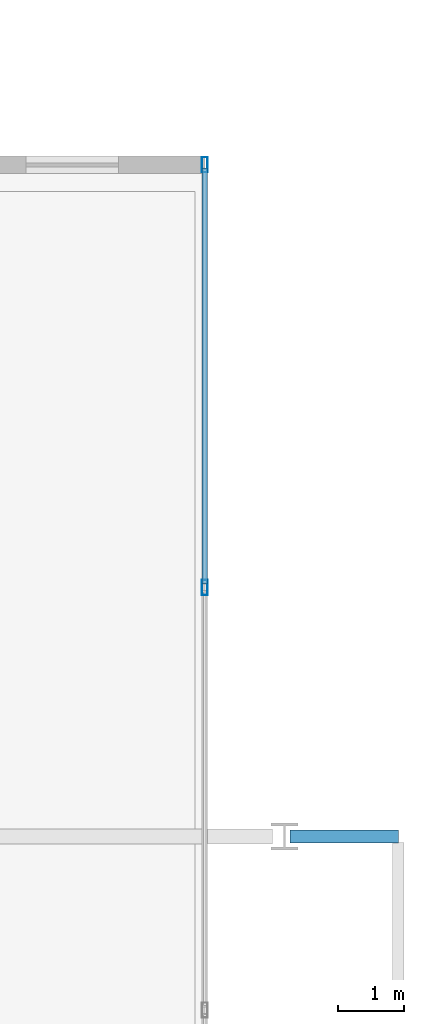
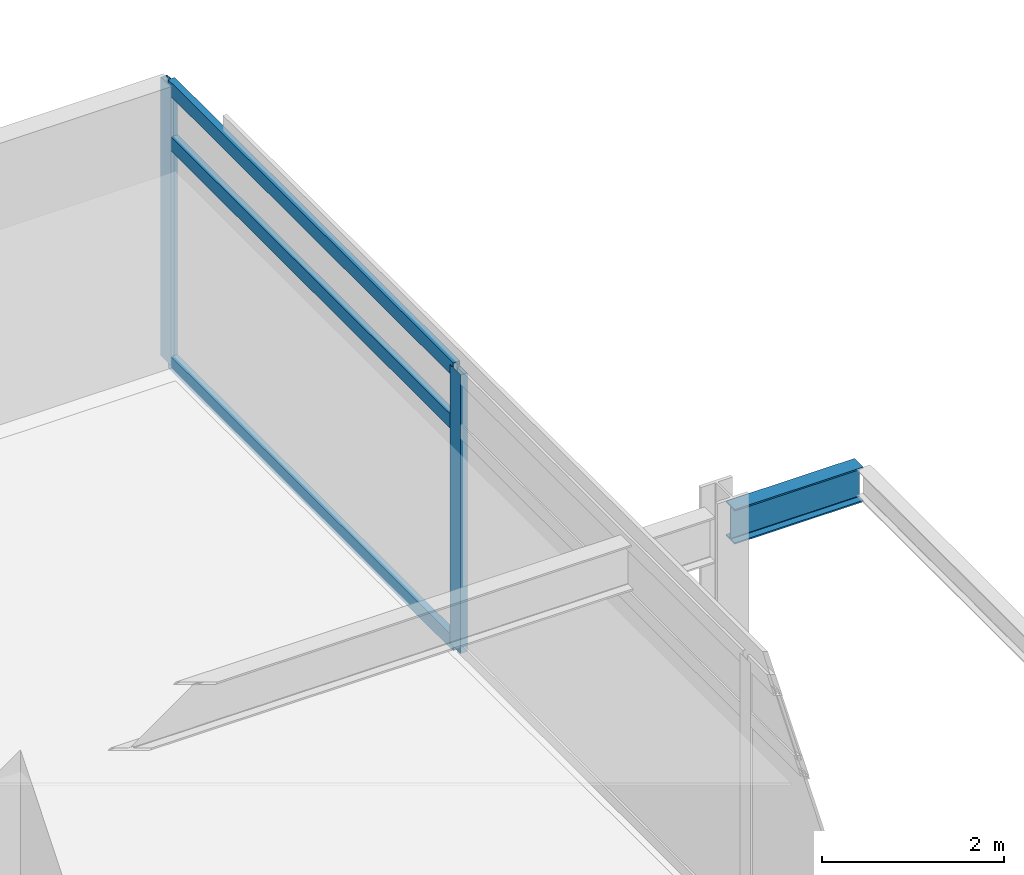
# One storey, part 10 of 19: 5 members, 1 beam, 1 element without a shape of its own.
"""IFC4 building model written with IfcOpenShell, lengths in metres."""

from ifc_helpers import new_model, si_unit, direction, frame, origin, origin_2d, place, context, subcontext, project, spatial, hollow_rectangle, i_section, extrude, material, material_profile, profile_set, type_object, element, aggregate, save


model = new_model("IFC4")

# Units and contexts
model_context = context("Model", 3, precision=1e-05, world=origin(), true_north=direction((0.0, 1.0)))
body_context = subcontext(model_context, "Body", "Model", "MODEL_VIEW")
ifc_project = project(units=[si_unit("LENGTHUNIT", "METRE"), si_unit("AREAUNIT", "SQUARE_METRE"), si_unit("VOLUMEUNIT", "CUBIC_METRE"), si_unit("PLANEANGLEUNIT", "RADIAN"), si_unit("MASSUNIT", "GRAM", prefix="KILO")], contexts=[model_context])

# Site, building, storey
site_placement = place(None, origin())
site = spatial("IfcSite", under=ifc_project, at=site_placement, CompositionType="ELEMENT")
building_placement = place(site_placement, origin())
building = spatial("IfcBuilding", under=site, at=building_placement, Name="Kovane Verandah Tower", CompositionType="ELEMENT")
storey_placement = place(building_placement, frame((0.0, 0.0, 255.199951171875)))
storey = spatial("IfcBuildingStorey", under=building, at=storey_placement, Name="L59", CompositionType="ELEMENT", Elevation=255.199951171875)

# Curtain wall, members
ifc_material_1 = material(Name="Champagne Anodised Aluminium Frame with Low-E Clear Laminated Glass", Category="aluminium")
curtain_wall_type = type_object("IfcCurtainWallType", Name="CW-SYS-05-HIGH", PredefinedType="NOTDEFINED", material=ifc_material_1)
curtain_wall_placement = place(storey_placement, origin())
curtain_wall = element("IfcCurtainWall", 1, at=curtain_wall_placement, inside=storey, type_object=curtain_wall_type, Name="L59 E Unitised Curtain Wall", PredefinedType="NOTDEFINED")
ifc_material_2 = material(Name="Champagne Anodised Aluminium 6063-T6", Category="aluminium")
ifc_material_profile_1 = material_profile(ifc_material_2, hollow_rectangle(XDim=0.0849609375, YDim=0.22998046875, WallThickness=0.00390625, at=origin_2d()), Name="AL85x230x4")
ifc_profile_set_1 = profile_set([ifc_material_profile_1], Name="Champagne Anodised Aluminium 6063-T6")
member_type_1 = type_object("IfcMemberType", Name="CW-MUL-85x230", PredefinedType="MULLION", material=ifc_profile_set_1)
member_1_placement = place(storey_placement, frame((66.396240234375, 40.25830078125, 0.02001953125), z_axis=(0.0, 0.0, 1.0), x_axis=(1.0, 0.0, 0.0)))
member_1 = element("IfcMember", 2, at=member_1_placement, type_object=member_type_1, Name="L59 E Unitised Curtain Wall Mullion 6", PredefinedType="MULLION", context=body_context, shape_type="SweptSolid", body=[
    extrude(hollow_rectangle(XDim=0.0849609375, YDim=0.22998046875, WallThickness=0.00390625, at=origin_2d()), origin(), (0.0, 0.0, 1.0), 3.7451171875),
])
member_2_placement = place(storey_placement, frame((66.396240234375, 46.6376953125, 0.02001953125), z_axis=(0.0, 0.0, 1.0), x_axis=(1.0, 0.0, 0.0)))
member_2 = element("IfcMember", 3, at=member_2_placement, type_object=member_type_1, Name="L59 E Unitised Curtain Wall Mullion 7", PredefinedType="MULLION", context=body_context, shape_type="SweptSolid", body=[
    extrude(hollow_rectangle(XDim=0.0849609375, YDim=0.22998046875, WallThickness=0.00390625, at=origin_2d()), origin(), (0.0, 0.0, 1.0), 3.7451171875),
])
ifc_material_profile_2 = material_profile(ifc_material_2, hollow_rectangle(XDim=0.0849609375, YDim=0.18994140625, WallThickness=0.00390625, at=origin_2d()), Name="AL85x190x4")
ifc_profile_set_2 = profile_set([ifc_material_profile_2], Name="Champagne Anodised Aluminium 6063-T6")
member_type_2 = type_object("IfcMemberType", Name="CW-TRN-85x190", PredefinedType="USERDEFINED", material=ifc_profile_set_2)
member_3_placement = place(storey_placement, frame((66.396240234375, 40.308349609375, 0.050048828125), z_axis=(0.0, 1.0, 0.0), x_axis=(-1.0, 0.0, 0.0)))
member_3 = element("IfcMember", 4, at=member_3_placement, type_object=member_type_2, Name="L59 E Unitised Curtain Wall Transom TB Bay 6", ObjectType="TRANSOM", PredefinedType="USERDEFINED", context=body_context, shape_type="SweptSolid", body=[
    extrude(hollow_rectangle(XDim=0.0849609375, YDim=0.18994140625, WallThickness=0.00390625, at=origin_2d()), origin(), (0.0, 0.0, 1.0), 6.279296875),
])
member_4_placement = place(storey_placement, frame((66.396240234375, 40.308349609375, 3.005126953125), z_axis=(0.0, 1.0, 0.0), x_axis=(-1.0, 0.0, 0.0)))
member_4 = element("IfcMember", 5, at=member_4_placement, type_object=member_type_2, Name="L59 E Unitised Curtain Wall Transom TM Bay 6", ObjectType="TRANSOM", PredefinedType="USERDEFINED", context=body_context, shape_type="SweptSolid", body=[
    extrude(hollow_rectangle(XDim=0.0849609375, YDim=0.18994140625, WallThickness=0.00390625, at=origin_2d()), origin(), (0.0, 0.0, 1.0), 6.279296875),
])
member_5_placement = place(storey_placement, frame((66.396240234375, 40.308349609375, 3.735107421875), z_axis=(0.0, 1.0, 0.0), x_axis=(-1.0, 0.0, 0.0)))
member_5 = element("IfcMember", 6, at=member_5_placement, type_object=member_type_2, Name="L59 E Unitised Curtain Wall Transom TT Bay 6", ObjectType="TRANSOM", PredefinedType="USERDEFINED", context=body_context, shape_type="SweptSolid", body=[
    extrude(hollow_rectangle(XDim=0.0849609375, YDim=0.18994140625, WallThickness=0.00390625, at=origin_2d()), origin(), (0.0, 0.0, 1.0), 6.279296875),
])
aggregate(curtain_wall, [member_1, member_2, member_3, member_4, member_5])

# Beam
ifc_material_3 = material(Name="Steel S355", Category="steel")
ifc_material_profile_3 = material_profile(ifc_material_3, i_section(OverallWidth=0.19287109375, OverallDepth=0.46728515625, WebThickness=0.011474609375, FlangeThickness=0.01953125, FilletRadius=0.01025390625, at=origin_2d()), Name="UB457x191x98")
ifc_profile_set_3 = profile_set([ifc_material_profile_3], Name="Steel S355")
beam_type = type_object("IfcBeamType", Name="JST-UB457x98", PredefinedType="JOIST", material=ifc_profile_set_3)
beam_placement = place(storey_placement, frame((67.679931640625, 36.5, 3.5263671875), z_axis=(1.0, 0.0, 0.0), x_axis=(0.0, 1.0, 0.0)))
element("IfcBeam", 7, at=beam_placement, inside=storey, type_object=beam_type, Name="L59 East Planter Girder 2", PredefinedType="JOIST", context=body_context, shape_type="SweptSolid", body=[
    extrude(i_section(OverallWidth=0.19287109375, OverallDepth=0.46728515625, WebThickness=0.011474609375, FlangeThickness=0.01953125, FilletRadius=0.01025390625, at=origin_2d()), origin(), (0.0, 0.0, 1.0), 1.636474609375),
])

save(model, "model.ifc")
